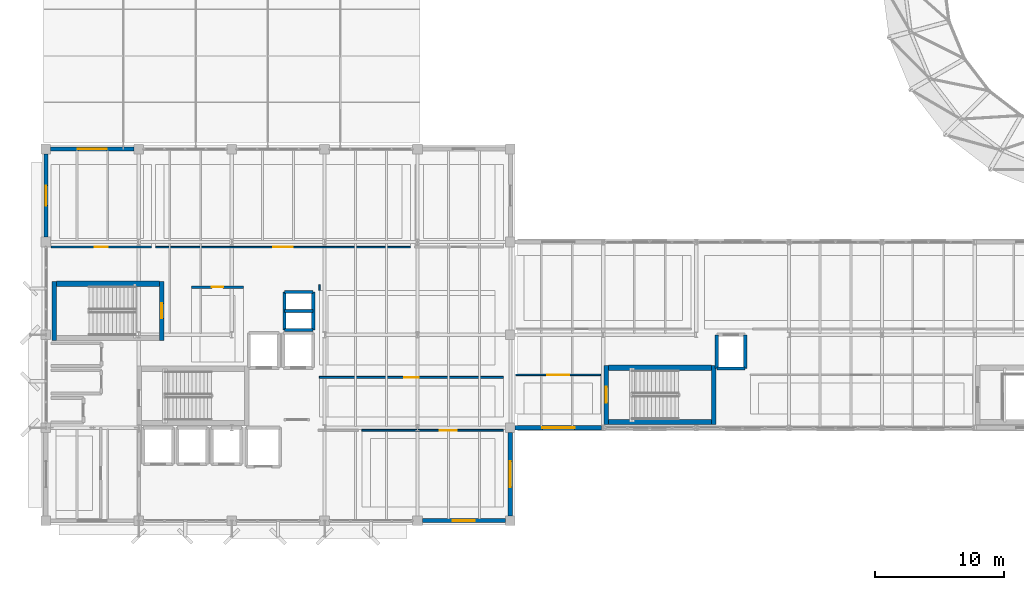
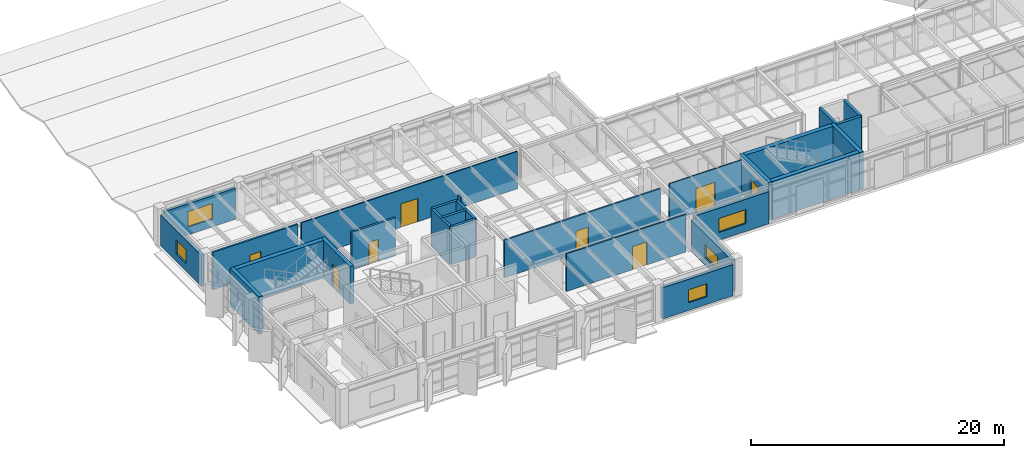
# One storey, part 32 of 48: 27 walls, 8 doors, 5 windows, 13 openings.
"""IFC4 building model written with IfcOpenShell, lengths in metres."""

from ifc_helpers import new_model, si_unit, direction, frame, frame_2d, origin, place, context, subcontext, project, spatial, rectangle, extrude, material, layer, layer_set, type_object, element, fill, save


model = new_model("IFC4")

# Units and contexts
model_context = context("Model", 3, precision=1e-05, world=origin(), true_north=direction((0.0, 1.0)))
body_context = subcontext(model_context, "Body", "Model", "MODEL_VIEW")
ifc_project = project(units=[si_unit("LENGTHUNIT", "METRE"), si_unit("AREAUNIT", "SQUARE_METRE"), si_unit("VOLUMEUNIT", "CUBIC_METRE"), si_unit("PLANEANGLEUNIT", "RADIAN"), si_unit("MASSUNIT", "GRAM", prefix="KILO")], contexts=[model_context])

# Site, building, storey
site_placement = place(None, origin())
site = spatial("IfcSite", under=ifc_project, at=site_placement, CompositionType="ELEMENT")
building_placement = place(site_placement, origin())
building = spatial("IfcBuilding", under=site, at=building_placement, Name="Kandorven Conservatory and Botanical Research Centre", CompositionType="ELEMENT")
storey_placement = place(building_placement, frame((0.0, 0.0, 13.199951171875)))
storey = spatial("IfcBuildingStorey", under=building, at=storey_placement, Name="L03", CompositionType="ELEMENT", Elevation=13.199951171875)

# Walls
ifc_material_1 = material(Name="Concrete C40/50 (M50)", Category="concrete")
ifc_layer_1 = layer(ifc_material_1, 0.39990234375)
ifc_layer_set_1 = layer_set([ifc_layer_1], Name="Concrete C40/50 (M50)")
wall_type_1 = type_object("IfcWallType", Name="Wall_CW-RC-1", PredefinedType="SHEAR", material=ifc_layer_set_1)
wall_1_placement = place(storey_placement, frame((14.800048828125, 24.35498046875, 0.0), z_axis=(0.0, 0.0, 1.0), x_axis=(-1.0, 0.0, 0.0)))
element("IfcWall", 1, at=wall_1_placement, inside=storey, type_object=wall_type_1, Name="Core stair shear wall CW-RC-1 ST-T2 L03 side A", PredefinedType="SHEAR", context=body_context, shape_type="SweptSolid", body=[
    extrude(rectangle(XDim=7.97998046875, YDim=0.39990234375, at=frame_2d((3.989990234375, 0.0))), origin(), (0.0, 0.0, 1.0), 3.635009765625),
])
for number, where, z_axis, x_axis, name in (
    (2, (49.60009765625, 13.64501953125, 0.0), (0.0, 0.0, 1.0), (1.0, 0.0, 0.0), "Core stair shear wall CW-RC-1 ST-V3A L03 side A"),
    (3, (49.60009765625, 17.844970703125, 0.0), (0.0, 0.0, 1.0), (1.0, 0.0, 0.0), "Core stair shear wall CW-RC-1 ST-V3A L03 side B"),
):
    element("IfcWall", number, at=place(storey_placement, frame(where, z_axis=z_axis, x_axis=x_axis)), inside=storey, type_object=wall_type_1, Name=name, PredefinedType="SHEAR", context=body_context, shape_type="SweptSolid", body=[
        extrude(rectangle(XDim=7.97998046875, YDim=0.39990234375, at=frame_2d((3.989990234375, 0.0))), origin(), (0.0, 0.0, 1.0), 3.625),
    ])

# Wall, opening, door
ifc_material_2 = material(Name="Concrete C40/50 (M50)", Category="concrete")
ifc_layer_2 = layer(ifc_material_2, 0.35009765625)
ifc_layer_set_2 = layer_set([ifc_layer_2], Name="Concrete C40/50 (M50)")
wall_type_2 = type_object("IfcWallType", Name="Wall_CW-RC-2", PredefinedType="SHEAR", material=ifc_layer_set_2)
wall_2_placement = place(storey_placement, frame((14.97509765625, 24.550048828125, 0.0), z_axis=(0.0, 0.0, 1.0), x_axis=(0.0, -1.0, 0.0)))
wall_2 = element("IfcWall", 4, at=wall_2_placement, inside=storey, type_object=wall_type_2, Name="Core stair shear wall CW-RC-2 ST-T2 L03 entry", PredefinedType="SHEAR", context=body_context, shape_type="SweptSolid", body=[
    extrude(rectangle(XDim=4.590087890625, YDim=0.35009765625, at=frame_2d((2.294921875, 0.0))), origin(), (0.0, 0.0, 1.0), 3.635009765625),
])
opening_1_placement = place(wall_2_placement, frame((1.719970703125, 0.0, 0.0)))
opening_1 = element("IfcOpeningElement", 5, at=opening_1_placement, cuts=wall_2, Name="Opening FD-2", PredefinedType="OPENING", context=body_context, shape_type="SweptSolid", body=[
    extrude(rectangle(XDim=1.14990234375, YDim=2.199951171875, at=frame_2d((0.574951171875, 1.10009765625))), frame((0.0, 0.18505859375, 0.0), z_axis=(0.0, -1.0, 0.0), x_axis=(1.0, 0.0, 0.0)), (0.0, 0.0, 1.0), 0.3701171875),
])
ifc_material_3 = material(Name="Galvanised hollow steel fire door assembly", Category="steel")
door_type_1 = type_object("IfcDoorType", Name="Door_FD-2", OperationType="NOTDEFINED", PredefinedType="DOOR", material=ifc_material_3)
door_1_placement = place(opening_1_placement, origin())
door_1 = element("IfcDoor", 6, at=door_1_placement, inside=storey, type_object=door_type_1, Name="Exit stair fire door FD-2 ST-T2 L03", OperationType="SINGLE_SWING_RIGHT", OverallHeight=2.199951171875, OverallWidth=1.14990234375, PredefinedType="DOOR", context=body_context, shape_type="SweptSolid", body=[
    extrude(rectangle(XDim=1.14990234375, YDim=2.199951171875, at=frame_2d((0.574951171875, 1.10009765625))), frame((0.0, 0.02490234375, 0.0), z_axis=(0.0, -1.0, 0.0), x_axis=(1.0, 0.0, 0.0)), (0.0, 0.0, 1.0), 0.050048828125),
])
fill(opening_1, door_1)

# Wall
wall_3_placement = place(storey_placement, frame((6.64501953125, 24.550048828125, 0.0), z_axis=(0.0, 0.0, 1.0), x_axis=(0.0, -1.0, 0.0)))
element("IfcWall", 7, at=wall_3_placement, inside=storey, type_object=wall_type_2, Name="Core stair shear wall CW-RC-2 ST-T2 L03 far", PredefinedType="SHEAR", context=body_context, shape_type="SweptSolid", body=[
    extrude(rectangle(XDim=4.590087890625, YDim=0.35009765625, at=frame_2d((2.294921875, 0.0))), origin(), (0.0, 0.0, 1.0), 3.635009765625),
])

# Wall, opening, door
wall_4_placement = place(storey_placement, frame((49.425048828125, 13.449951171875, 0.0), z_axis=(0.0, 0.0, 1.0), x_axis=(0.0, 1.0, 0.0)))
wall_4 = element("IfcWall", 8, at=wall_4_placement, inside=storey, type_object=wall_type_2, Name="Core stair shear wall CW-RC-2 ST-V3A L03 entry", PredefinedType="SHEAR", context=body_context, shape_type="SweptSolid", body=[
    extrude(rectangle(XDim=4.590087890625, YDim=0.35009765625, at=frame_2d((2.294921875, 0.0))), origin(), (0.0, 0.0, 1.0), 3.625),
])
opening_2_placement = place(wall_4_placement, frame((1.669921875, 0.0, 0.0)))
opening_2 = element("IfcOpeningElement", 9, at=opening_2_placement, cuts=wall_4, Name="Opening FD-1", PredefinedType="OPENING", context=body_context, shape_type="SweptSolid", body=[
    extrude(rectangle(XDim=1.25, YDim=2.199951171875, at=frame_2d((0.625, 1.10009765625))), frame((0.0, 0.18505859375, 0.0), z_axis=(0.0, -1.0, 0.0), x_axis=(1.0, 0.0, 0.0)), (0.0, 0.0, 1.0), 0.3701171875),
])
ifc_material_4 = material(Name="Galvanised hollow steel fire door assembly", Category="steel")
door_type_2 = type_object("IfcDoorType", Name="Door_FD-1", OperationType="NOTDEFINED", PredefinedType="DOOR", material=ifc_material_4)
door_2_placement = place(opening_2_placement, origin())
door_2 = element("IfcDoor", 10, at=door_2_placement, inside=storey, type_object=door_type_2, Name="Exit stair fire door FD-1 ST-V3A L03", OperationType="SINGLE_SWING_RIGHT", OverallHeight=2.199951171875, OverallWidth=1.25, PredefinedType="DOOR", context=body_context, shape_type="SweptSolid", body=[
    extrude(rectangle(XDim=1.25, YDim=2.199951171875, at=frame_2d((0.625, 1.10009765625))), frame((0.0, 0.02490234375, 0.0), z_axis=(0.0, -1.0, 0.0), x_axis=(1.0, 0.0, 0.0)), (0.0, 0.0, 1.0), 0.050048828125),
])
fill(opening_2, door_2)

# Walls
wall_5_placement = place(storey_placement, frame((57.7548828125, 13.449951171875, 0.0), z_axis=(0.0, 0.0, 1.0), x_axis=(0.0, 1.0, 0.0)))
element("IfcWall", 11, at=wall_5_placement, inside=storey, type_object=wall_type_2, Name="Core stair shear wall CW-RC-2 ST-V3A L03 far", PredefinedType="SHEAR", context=body_context, shape_type="SweptSolid", body=[
    extrude(rectangle(XDim=4.590087890625, YDim=0.35009765625, at=frame_2d((2.294921875, 0.0))), origin(), (0.0, 0.0, 1.0), 3.625),
])
wall_6_placement = place(storey_placement, frame((58.0, 17.800048828125, 0.0), z_axis=(0.0, 0.0, 1.0), x_axis=(1.0, 0.0, 0.0)))
element("IfcWall", 12, at=wall_6_placement, inside=storey, type_object=wall_type_2, Name="Lift shaft wall VL-1 L03 S", PredefinedType="SHEAR", context=body_context, shape_type="SweptSolid", body=[
    extrude(rectangle(XDim=2.199951171875, YDim=0.25, at=frame_2d((1.10009765625, 0.0))), origin(), (0.0, 0.0, 1.0), 3.635009765625),
])
for number, where, z_axis, x_axis, name in (
    (13, (58.0, 17.800048828125, 0.0), (0.0, 0.0, 1.0), (0.0, 1.0, 0.0), "Lift shaft wall VL-1 L03 W"),
    (14, (60.199951171875, 17.800048828125, 0.0), (0.0, 0.0, 1.0), (0.0, 1.0, 0.0), "Lift shaft wall VL-1 L03 E"),
):
    element("IfcWall", number, at=place(storey_placement, frame(where, z_axis=z_axis, x_axis=x_axis)), inside=storey, type_object=wall_type_2, Name=name, PredefinedType="SHEAR", context=body_context, shape_type="SweptSolid", body=[
        extrude(rectangle(XDim=2.599853515625, YDim=0.25, at=frame_2d((1.2998046875, 0.0))), origin(), (0.0, 0.0, 1.0), 3.635009765625),
    ])
for number, where, z_axis, x_axis, name in (
    (15, (24.47998046875, 20.780029296875, 0.0), (0.0, 0.0, 1.0), (1.0, 0.0, 0.0), "Core MEP riser shaft wall CW-RC-2 L03 S"),
    (16, (24.47998046875, 22.25, 0.0), (0.0, 0.0, 1.0), (1.0, 0.0, 0.0), "Core MEP riser shaft wall CW-RC-2 L03 M"),
    (17, (24.47998046875, 23.719970703125, 0.0), (0.0, 0.0, 1.0), (1.0, 0.0, 0.0), "Core MEP riser shaft wall CW-RC-2 L03 N"),
):
    element("IfcWall", number, at=place(storey_placement, frame(where, z_axis=z_axis, x_axis=x_axis)), inside=storey, type_object=wall_type_2, Name=name, PredefinedType="SHEAR", context=body_context, shape_type="SweptSolid", body=[
        extrude(rectangle(XDim=2.239990234375, YDim=0.239990234375, at=frame_2d((1.1201171875, 0.0))), origin(), (0.0, 0.0, 1.0), 3.635009765625),
    ])
for number, where, z_axis, x_axis, name in (
    (18, (24.47998046875, 20.780029296875, 0.0), (0.0, 0.0, 1.0), (0.0, 1.0, 0.0), "Core MEP riser shaft wall CW-RC-2 L03 W"),
    (19, (26.719970703125, 20.780029296875, 0.0), (0.0, 0.0, 1.0), (0.0, 1.0, 0.0), "Core MEP riser shaft wall CW-RC-2 L03 E"),
):
    element("IfcWall", number, at=place(storey_placement, frame(where, z_axis=z_axis, x_axis=x_axis)), inside=storey, type_object=wall_type_2, Name=name, PredefinedType="SHEAR", context=body_context, shape_type="SweptSolid", body=[
        extrude(rectangle(XDim=2.93994140625, YDim=0.239990234375, at=frame_2d((1.469970703125, 0.0))), origin(), (0.0, 0.0, 1.0), 3.635009765625),
    ])

# Wall, opening, window
ifc_material_5 = material(Name="Concrete C40/50 (M50)", Category="concrete")
ifc_layer_3 = layer(ifc_material_5, 0.360107421875)
ifc_layer_set_3 = layer_set([ifc_layer_3], Name="Concrete C40/50 (M50)")
wall_type_3 = type_object("IfcWallType", Name="Wall_EW-01", PredefinedType="STANDARD", material=ifc_layer_set_3)
wall_7_placement = place(storey_placement, frame((42.0, 6.375, 0.0), z_axis=(0.0, 0.0, 1.0), x_axis=(0.0, 1.0, 0.0)))
wall_7 = element("IfcWall", 20, at=wall_7_placement, inside=storey, type_object=wall_type_3, Name="Tower concrete facade wall EW-01 E L03", PredefinedType="STANDARD", context=body_context, shape_type="SweptSolid", body=[
    extrude(rectangle(XDim=6.449951171875, YDim=0.360107421875, at=frame_2d((3.22509765625, 0.0))), origin(), (0.0, 0.0, 1.0), 3.01513671875),
])
opening_3_placement = place(wall_7_placement, frame((2.22509765625, 0.0, 0.75)))
opening_3 = element("IfcOpeningElement", 21, at=opening_3_placement, cuts=wall_7, Name="Opening W-48", PredefinedType="OPENING", context=body_context, shape_type="SweptSolid", body=[
    extrude(rectangle(XDim=2.0, YDim=1.25, at=frame_2d((1.0, 0.625))), frame((0.0, 0.18994140625, 0.0), z_axis=(0.0, -1.0, 0.0), x_axis=(1.0, 0.0, 0.0)), (0.0, 0.0, 1.0), 0.380126953125),
])
ifc_material_6 = material(Name="Double-glazed solar-control low-E glass", Category="glass")
window_type_1 = type_object("IfcWindowType", Name="Win_W-48", PartitioningType="DOUBLE_PANEL_VERTICAL", PredefinedType="WINDOW", material=ifc_material_6)
window_1_placement = place(opening_3_placement, origin())
window_1 = element("IfcWindow", 22, at=window_1_placement, inside=storey, type_object=window_type_1, Name="Tower recessed solar window W-48", OverallHeight=1.25, OverallWidth=2.0, PartitioningType="SINGLE_PANEL", PredefinedType="WINDOW", context=body_context, shape_type="SweptSolid", body=[
    extrude(rectangle(XDim=2.0, YDim=1.25, at=frame_2d((1.0, 0.625))), frame((0.0, 0.030029296875, 0.0), z_axis=(0.0, -1.0, 0.0), x_axis=(1.0, 0.0, 0.0)), (0.0, 0.0, 1.0), 0.06005859375),
])
fill(opening_3, window_1)

ifc_material_7 = material(Name="Concrete C32/40 (M40)", Category="concrete")
ifc_layer_4 = layer(ifc_material_7, 0.340087890625)
ifc_layer_set_4 = layer_set([ifc_layer_4], Name="Concrete C32/40 (M40)")
wall_type_4 = type_object("IfcWallType", Name="Wall_EW-02", PredefinedType="STANDARD", material=ifc_layer_set_4)
wall_8_placement = place(storey_placement, frame((42.375, 13.199951171875, 0.0), z_axis=(0.0, 0.0, 1.0), x_axis=(1.0, 0.0, 0.0)))
wall_8 = element("IfcWall", 23, at=wall_8_placement, inside=storey, type_object=wall_type_4, Name="Visitor centre concrete wall EW-02 S L03", PredefinedType="STANDARD", context=body_context, shape_type="SweptSolid", body=[
    extrude(rectangle(XDim=6.699951171875, YDim=0.340087890625, at=frame_2d((3.35009765625, 0.0))), origin(), (0.0, 0.0, 1.0), 3.10009765625),
])
opening_4_placement = place(wall_8_placement, frame((2.10009765625, 0.0, 0.75)))
opening_4 = element("IfcOpeningElement", 24, at=opening_4_placement, cuts=wall_8, Name="Opening W-38", PredefinedType="OPENING", context=body_context, shape_type="SweptSolid", body=[
    extrude(rectangle(XDim=2.5, YDim=1.35009765625, at=frame_2d((1.25, 0.675048828125))), frame((0.0, 0.179931640625, 0.0), z_axis=(0.0, -1.0, 0.0), x_axis=(1.0, 0.0, 0.0)), (0.0, 0.0, 1.0), 0.360107421875),
])
ifc_material_8 = material(Name="Double-glazed solar-control low-E glass", Category="glass")
window_type_2 = type_object("IfcWindowType", Name="Win_W-38", PartitioningType="DOUBLE_PANEL_VERTICAL", PredefinedType="WINDOW", material=ifc_material_8)
window_2_placement = place(opening_4_placement, origin())
window_2 = element("IfcWindow", 25, at=window_2_placement, inside=storey, type_object=window_type_2, Name="Visitor wing deep-reveal window W-38", OverallHeight=1.35009765625, OverallWidth=2.5, PartitioningType="SINGLE_PANEL", PredefinedType="WINDOW", context=body_context, shape_type="SweptSolid", body=[
    extrude(rectangle(XDim=2.5, YDim=1.35009765625, at=frame_2d((1.25, 0.675048828125))), frame((0.0, 0.030029296875, 0.0), z_axis=(0.0, -1.0, 0.0), x_axis=(1.0, 0.0, 0.0)), (0.0, 0.0, 1.0), 0.06005859375),
])
fill(opening_4, window_2)

ifc_material_9 = material(Name="Concrete C32/40 (M40)", Category="concrete")
ifc_layer_5 = layer(ifc_material_9, 0.320068359375)
ifc_layer_set_5 = layer_set([ifc_layer_5], Name="Concrete C32/40 (M40)")
wall_type_5 = type_object("IfcWallType", Name="Wall_EW-03", PredefinedType="STANDARD", material=ifc_layer_set_5)
wall_9_placement = place(storey_placement, frame((35.175048828125, 6.0, 0.0), z_axis=(0.0, 0.0, 1.0), x_axis=(1.0, 0.0, 0.0)))
wall_9 = element("IfcWall", 26, at=wall_9_placement, inside=storey, type_object=wall_type_5, Name="Tower concrete facade wall EW-03 S L03", PredefinedType="STANDARD", context=body_context, shape_type="SweptSolid", body=[
    extrude(rectangle(XDim=6.449951171875, YDim=0.320068359375, at=frame_2d((3.22509765625, 0.0))), origin(), (0.0, 0.0, 1.0), 3.01513671875),
])
opening_5_placement = place(wall_9_placement, frame((2.375, 0.0, 0.75)))
opening_5 = element("IfcOpeningElement", 27, at=opening_5_placement, cuts=wall_9, Name="Opening W-47", PredefinedType="OPENING", context=body_context, shape_type="SweptSolid", body=[
    extrude(rectangle(XDim=1.699951171875, YDim=1.25, at=frame_2d((0.85009765625, 0.625))), frame((0.0, 0.169921875, 0.0), z_axis=(0.0, -1.0, 0.0), x_axis=(1.0, 0.0, 0.0)), (0.0, 0.0, 1.0), 0.340087890625),
])
ifc_material_10 = material(Name="Double-glazed solar-control low-E glass", Category="glass")
window_type_3 = type_object("IfcWindowType", Name="Win_W-47", PartitioningType="DOUBLE_PANEL_VERTICAL", PredefinedType="WINDOW", material=ifc_material_10)
window_3_placement = place(opening_5_placement, origin())
window_3 = element("IfcWindow", 28, at=window_3_placement, inside=storey, type_object=window_type_3, Name="Tower recessed solar window W-47", OverallHeight=1.25, OverallWidth=1.699951171875, PartitioningType="SINGLE_PANEL", PredefinedType="WINDOW", context=body_context, shape_type="SweptSolid", body=[
    extrude(rectangle(XDim=1.699951171875, YDim=1.25, at=frame_2d((0.85009765625, 0.625))), frame((0.0, 0.030029296875, 0.0), z_axis=(0.0, -1.0, 0.0), x_axis=(1.0, 0.0, 0.0)), (0.0, 0.0, 1.0), 0.06005859375),
])
fill(opening_5, window_3)

ifc_material_11 = material(Name="Concrete C32/40 (M40)", Category="concrete")
ifc_layer_6 = layer(ifc_material_11, 0.300048828125)
ifc_layer_set_6 = layer_set([ifc_layer_6], Name="Concrete C32/40 (M40)")
wall_type_6 = type_object("IfcWallType", Name="Wall_EW-04", PredefinedType="STANDARD", material=ifc_layer_set_6)
wall_10_placement = place(storey_placement, frame((6.0, 27.97509765625, 0.0), z_axis=(0.0, 0.0, 1.0), x_axis=(0.0, 1.0, 0.0)))
wall_10 = element("IfcWall", 29, at=wall_10_placement, inside=storey, type_object=wall_type_6, Name="Tower concrete facade wall EW-04 W L03", PredefinedType="STANDARD", context=body_context, shape_type="SweptSolid", body=[
    extrude(rectangle(XDim=6.449951171875, YDim=0.300048828125, at=frame_2d((3.22509765625, 0.0))), origin(), (0.0, 0.0, 1.0), 3.01513671875),
])
opening_6_placement = place(wall_10_placement, frame((2.449951171875, 0.0, 0.75)))
opening_6 = element("IfcOpeningElement", 30, at=opening_6_placement, cuts=wall_10, Name="Opening W-33", PredefinedType="OPENING", context=body_context, shape_type="SweptSolid", body=[
    extrude(rectangle(XDim=1.550048828125, YDim=1.35009765625, at=frame_2d((0.77490234375, 0.675048828125))), frame((0.0, 0.159912109375, 0.0), z_axis=(0.0, -1.0, 0.0), x_axis=(1.0, 0.0, 0.0)), (0.0, 0.0, 1.0), 0.320068359375),
])
ifc_material_12 = material(Name="Double-glazed solar-control low-E glass", Category="glass")
window_type_4 = type_object("IfcWindowType", Name="Win_W-33", PartitioningType="DOUBLE_PANEL_VERTICAL", PredefinedType="WINDOW", material=ifc_material_12)
window_4_placement = place(opening_6_placement, origin())
window_4 = element("IfcWindow", 31, at=window_4_placement, inside=storey, type_object=window_type_4, Name="Tower recessed solar window W-33", OverallHeight=1.35009765625, OverallWidth=1.550048828125, PartitioningType="SINGLE_PANEL", PredefinedType="WINDOW", context=body_context, shape_type="SweptSolid", body=[
    extrude(rectangle(XDim=1.550048828125, YDim=1.35009765625, at=frame_2d((0.77490234375, 0.675048828125))), frame((0.0, 0.030029296875, 0.0), z_axis=(0.0, -1.0, 0.0), x_axis=(1.0, 0.0, 0.0)), (0.0, 0.0, 1.0), 0.06005859375),
])
fill(opening_6, window_4)

ifc_material_13 = material(Name="Concrete C32/40 (M40)", Category="concrete")
ifc_layer_7 = layer(ifc_material_13, 0.280029296875)
ifc_layer_set_7 = layer_set([ifc_layer_7], Name="Concrete C32/40 (M40)")
wall_type_7 = type_object("IfcWallType", Name="Wall_EW-05", PredefinedType="STANDARD", material=ifc_layer_set_7)
wall_11_placement = place(storey_placement, frame((6.375, 34.800048828125, 0.0), z_axis=(0.0, 0.0, 1.0), x_axis=(1.0, 0.0, 0.0)))
wall_11 = element("IfcWall", 32, at=wall_11_placement, inside=storey, type_object=wall_type_7, Name="Tower concrete facade wall EW-05 N L03", PredefinedType="STANDARD", context=body_context, shape_type="SweptSolid", body=[
    extrude(rectangle(XDim=6.449951171875, YDim=0.280029296875, at=frame_2d((3.22509765625, 0.0))), origin(), (0.0, 0.0, 1.0), 3.01513671875),
])
opening_7_placement = place(wall_11_placement, frame((2.10009765625, 0.0, 0.75)))
opening_7 = element("IfcOpeningElement", 33, at=opening_7_placement, cuts=wall_11, Name="Opening W-43", PredefinedType="OPENING", context=body_context, shape_type="SweptSolid", body=[
    extrude(rectangle(XDim=2.25, YDim=1.5, at=frame_2d((1.125, 0.75))), frame((0.0, 0.14990234375, 0.0), z_axis=(0.0, -1.0, 0.0), x_axis=(1.0, 0.0, 0.0)), (0.0, 0.0, 1.0), 0.300048828125),
])
ifc_material_14 = material(Name="Double-glazed solar-control low-E glass", Category="glass")
window_type_5 = type_object("IfcWindowType", Name="Win_W-43", PartitioningType="DOUBLE_PANEL_VERTICAL", PredefinedType="WINDOW", material=ifc_material_14)
window_5_placement = place(opening_7_placement, origin())
window_5 = element("IfcWindow", 34, at=window_5_placement, inside=storey, type_object=window_type_5, Name="Tower recessed solar window W-43", OverallHeight=1.5, OverallWidth=2.25, PartitioningType="SINGLE_PANEL", PredefinedType="WINDOW", context=body_context, shape_type="SweptSolid", body=[
    extrude(rectangle(XDim=2.25, YDim=1.5, at=frame_2d((1.125, 0.75))), frame((0.0, 0.030029296875, 0.0), z_axis=(0.0, -1.0, 0.0), x_axis=(1.0, 0.0, 0.0)), (0.0, 0.0, 1.0), 0.06005859375),
])
fill(opening_7, window_5)

# Wall, opening, door
ifc_material_15 = material(Name="Autoclaved aerated concrete blockwork masonry", Category="masonry")
ifc_layer_8 = layer(ifc_material_15, 0.195068359375)
ifc_layer_set_8 = layer_set([ifc_layer_8], Name="Autoclaved aerated concrete blockwork masonry")
wall_type_8 = type_object("IfcWallType", Name="Wall_IW-02", PredefinedType="PARTITIONING", material=ifc_layer_set_8)
wall_12_placement = place(storey_placement, frame((17.300048828125, 24.10009765625, 0.0), z_axis=(0.0, 0.0, 1.0), x_axis=(1.0, 0.0, 0.0)))
wall_12 = element("IfcWall", 35, at=wall_12_placement, inside=storey, type_object=wall_type_8, Name="Interior partition wall IW-02 (Botanical Specimen Preparation Laboratory L03)", PredefinedType="PARTITIONING", context=body_context, shape_type="SweptSolid", body=[
    extrude(rectangle(XDim=4.0, YDim=0.195068359375, at=frame_2d((2.0, 0.0))), origin(), (0.0, 0.0, 1.0), 3.614990234375),
])
opening_8_placement = place(wall_12_placement, frame((1.56005859375, 0.0, 0.0)))
opening_8 = element("IfcOpeningElement", 36, at=opening_8_placement, cuts=wall_12, Name="Opening D-19", PredefinedType="OPENING", context=body_context, shape_type="SweptSolid", body=[
    extrude(rectangle(XDim=0.8798828125, YDim=2.1201171875, at=frame_2d((0.43994140625, 1.06005859375))), frame((0.0, 0.107421875, 0.0), z_axis=(0.0, -1.0, 0.0), x_axis=(1.0, 0.0, 0.0)), (0.0, 0.0, 1.0), 0.215087890625),
])
ifc_material_16 = material(Name="Solid core acoustic teak-veneered timber leaf", Category="wood")
door_type_3 = type_object("IfcDoorType", Name="Door_D-19", OperationType="NOTDEFINED", PredefinedType="DOOR", material=ifc_material_16)
door_3_placement = place(opening_8_placement, origin())
door_3 = element("IfcDoor", 37, at=door_3_placement, inside=storey, type_object=door_type_3, Name="Interior door D-19 to Botanical Specimen Preparation Laboratory L03", OperationType="SINGLE_SWING_LEFT", OverallHeight=2.1201171875, OverallWidth=0.8798828125, PredefinedType="DOOR", context=body_context, shape_type="SweptSolid", body=[
    extrude(rectangle(XDim=0.8798828125, YDim=2.1201171875, at=frame_2d((0.43994140625, 1.06005859375))), frame((0.0, 0.02490234375, 0.0), z_axis=(0.0, -1.0, 0.0), x_axis=(1.0, 0.0, 0.0)), (0.0, 0.0, 1.0), 0.050048828125),
])
fill(opening_8, door_3)

ifc_material_17 = material(Name="Autoclaved aerated concrete blockwork masonry", Category="masonry")
ifc_layer_9 = layer(ifc_material_17, 0.1650390625)
ifc_layer_set_9 = layer_set([ifc_layer_9], Name="Autoclaved aerated concrete blockwork masonry")
wall_type_9 = type_object("IfcWallType", Name="Wall_IW-04", PredefinedType="PARTITIONING", material=ifc_layer_set_9)
wall_13_placement = place(storey_placement, frame((6.39990234375, 27.199951171875, 0.0), z_axis=(0.0, 0.0, 1.0), x_axis=(1.0, 0.0, 0.0)))
wall_13 = element("IfcWall", 38, at=wall_13_placement, inside=storey, type_object=wall_type_9, Name="Interior partition wall IW-04 (Ethnobotany Field Specimen Studio L03)", PredefinedType="PARTITIONING", context=body_context, shape_type="SweptSolid", body=[
    extrude(rectangle(XDim=7.800048828125, YDim=0.1650390625, at=frame_2d((3.89990234375, 0.0))), origin(), (0.0, 0.0, 1.0), 3.614990234375),
])
opening_9_placement = place(wall_13_placement, frame((3.389892578125, 0.0, 0.0)))
opening_9 = element("IfcOpeningElement", 39, at=opening_9_placement, cuts=wall_13, Name="Opening D-21", PredefinedType="OPENING", context=body_context, shape_type="SweptSolid", body=[
    extrude(rectangle(XDim=1.02001953125, YDim=2.179931640625, at=frame_2d((0.510009765625, 1.08984375))), frame((0.0, 0.092529296875, 0.0), z_axis=(0.0, -1.0, 0.0), x_axis=(1.0, 0.0, 0.0)), (0.0, 0.0, 1.0), 0.18505859375),
])
ifc_material_18 = material(Name="Solid core acoustic teak-veneered timber leaf", Category="wood")
door_type_4 = type_object("IfcDoorType", Name="Door_D-21", OperationType="NOTDEFINED", PredefinedType="DOOR", material=ifc_material_18)
door_4_placement = place(opening_9_placement, origin())
door_4 = element("IfcDoor", 40, at=door_4_placement, inside=storey, type_object=door_type_4, Name="Interior door D-21 to Ethnobotany Field Specimen Studio L03", OperationType="SINGLE_SWING_LEFT", OverallHeight=2.179931640625, OverallWidth=1.02001953125, PredefinedType="DOOR", context=body_context, shape_type="SweptSolid", body=[
    extrude(rectangle(XDim=1.02001953125, YDim=2.179931640625, at=frame_2d((0.510009765625, 1.08984375))), frame((0.0, 0.02490234375, 0.0), z_axis=(0.0, -1.0, 0.0), x_axis=(1.0, 0.0, 0.0)), (0.0, 0.0, 1.0), 0.050048828125),
])
fill(opening_9, door_4)

ifc_material_19 = material(Name="Fire-rated acoustic gypsum board partition", Category="gypsum")
ifc_layer_10 = layer(ifc_material_19, 0.14990234375)
ifc_layer_set_10 = layer_set([ifc_layer_10], Name="Fire-rated acoustic gypsum board partition")
wall_type_10 = type_object("IfcWallType", Name="Wall_IW-05", PredefinedType="PARTITIONING", material=ifc_layer_set_10)
wall_14_placement = place(storey_placement, frame((27.199951171875, 17.10009765625, 0.0), z_axis=(0.0, 0.0, 1.0), x_axis=(1.0, 0.0, 0.0)))
wall_14 = element("IfcWall", 41, at=wall_14_placement, inside=storey, type_object=wall_type_10, Name="Interior partition wall IW-05 (Plant Pathology Research Laboratory L03)", PredefinedType="PARTITIONING", context=body_context, shape_type="SweptSolid", body=[
    extrude(rectangle(XDim=14.25, YDim=0.14990234375, at=frame_2d((7.125, 0.0))), origin(), (0.0, 0.0, 1.0), 3.614990234375),
])
opening_10_placement = place(wall_14_placement, frame((6.56494140625, 0.0, 0.0)))
opening_10 = element("IfcOpeningElement", 42, at=opening_10_placement, cuts=wall_14, Name="Opening D-22", PredefinedType="OPENING", context=body_context, shape_type="SweptSolid", body=[
    extrude(rectangle(XDim=1.1201171875, YDim=2.219970703125, at=frame_2d((0.56005859375, 1.10986328125))), frame((0.0, 0.0849609375, 0.0), z_axis=(0.0, -1.0, 0.0), x_axis=(1.0, 0.0, 0.0)), (0.0, 0.0, 1.0), 0.169921875),
])
ifc_material_20 = material(Name="Solid core acoustic teak-veneered timber leaf", Category="wood")
door_type_5 = type_object("IfcDoorType", Name="Door_D-22", OperationType="NOTDEFINED", PredefinedType="DOOR", material=ifc_material_20)
door_5_placement = place(opening_10_placement, origin())
door_5 = element("IfcDoor", 43, at=door_5_placement, inside=storey, type_object=door_type_5, Name="Interior door D-22 to Plant Pathology Research Laboratory L03", OperationType="SINGLE_SWING_RIGHT", OverallHeight=2.219970703125, OverallWidth=1.1201171875, PredefinedType="DOOR", context=body_context, shape_type="SweptSolid", body=[
    extrude(rectangle(XDim=1.1201171875, YDim=2.219970703125, at=frame_2d((0.56005859375, 1.10986328125))), frame((0.0, 0.02490234375, 0.0), z_axis=(0.0, -1.0, 0.0), x_axis=(1.0, 0.0, 0.0)), (0.0, 0.0, 1.0), 0.050048828125),
])
fill(opening_10, door_5)

ifc_material_21 = material(Name="Fire-rated acoustic gypsum board partition", Category="gypsum")
ifc_layer_11 = layer(ifc_material_21, 0.1298828125)
ifc_layer_set_11 = layer_set([ifc_layer_11], Name="Fire-rated acoustic gypsum board partition")
wall_type_11 = type_object("IfcWallType", Name="Wall_IW-07", PredefinedType="PARTITIONING", material=ifc_layer_set_11)
wall_15_placement = place(storey_placement, frame((30.5, 13.0, 0.0), z_axis=(0.0, 0.0, 1.0), x_axis=(1.0, 0.0, 0.0)))
wall_15 = element("IfcWall", 44, at=wall_15_placement, inside=storey, type_object=wall_type_11, Name="Interior partition wall IW-07 (Soil Ecology Research Laboratory L03)", PredefinedType="PARTITIONING", context=body_context, shape_type="SweptSolid", body=[
    extrude(rectangle(XDim=10.949951171875, YDim=0.1298828125, at=frame_2d((5.47509765625, 0.0))), origin(), (0.0, 0.0, 1.0), 3.614990234375),
])
opening_11_placement = place(wall_15_placement, frame((6.021484375, 0.0, 0.0)))
opening_11 = element("IfcOpeningElement", 45, at=opening_11_placement, cuts=wall_15, Name="Opening D-24", PredefinedType="OPENING", context=body_context, shape_type="SweptSolid", body=[
    extrude(rectangle(XDim=1.340087890625, YDim=2.219970703125, at=frame_2d((0.669921875, 1.10986328125))), frame((0.0, 0.074951171875, 0.0), z_axis=(0.0, -1.0, 0.0), x_axis=(1.0, 0.0, 0.0)), (0.0, 0.0, 1.0), 0.14990234375),
])
ifc_material_22 = material(Name="Solid core acoustic teak-veneered timber leaf", Category="wood")
door_type_6 = type_object("IfcDoorType", Name="Door_D-24", OperationType="NOTDEFINED", PredefinedType="DOOR", material=ifc_material_22)
door_6_placement = place(opening_11_placement, origin())
door_6 = element("IfcDoor", 46, at=door_6_placement, inside=storey, type_object=door_type_6, Name="Interior door D-24 to Soil Ecology Research Laboratory L03", OperationType="SINGLE_SWING_RIGHT", OverallHeight=2.219970703125, OverallWidth=1.340087890625, PredefinedType="DOOR", context=body_context, shape_type="SweptSolid", body=[
    extrude(rectangle(XDim=1.340087890625, YDim=2.219970703125, at=frame_2d((0.669921875, 1.10986328125))), frame((0.0, 0.02490234375, 0.0), z_axis=(0.0, -1.0, 0.0), x_axis=(1.0, 0.0, 0.0)), (0.0, 0.0, 1.0), 0.050048828125),
])
fill(opening_11, door_6)

# Wall
ifc_material_23 = material(Name="Fire-rated acoustic gypsum board partition", Category="gypsum")
ifc_layer_12 = layer(ifc_material_23, 0.1201171875)
ifc_layer_set_12 = layer_set([ifc_layer_12], Name="Fire-rated acoustic gypsum board partition")
wall_type_12 = type_object("IfcWallType", Name="Wall_IW-08", PredefinedType="PARTITIONING", material=ifc_layer_set_12)
wall_16_placement = place(storey_placement, frame((27.199951171875, 24.300048828125, 0.0), z_axis=(0.0, 0.0, 1.0), x_axis=(0.0, -1.0, 0.0)))
element("IfcWall", 47, at=wall_16_placement, inside=storey, type_object=wall_type_12, Name="Interior partition wall IW-08 (Tissue Culture Clean Research Laboratory L03)", PredefinedType="PARTITIONING", context=body_context, shape_type="SweptSolid", body=[
    extrude(rectangle(XDim=0.449951171875, YDim=0.1201171875, at=frame_2d((0.22509765625, 0.0))), origin(), (0.0, 0.0, 1.0), 3.614990234375),
])

# Wall, opening, door
ifc_material_24 = material(Name="Fire-rated acoustic gypsum board partition", Category="gypsum")
ifc_layer_13 = layer(ifc_material_24, 0.110107421875)
ifc_layer_set_13 = layer_set([ifc_layer_13], Name="Fire-rated acoustic gypsum board partition")
wall_type_13 = type_object("IfcWallType", Name="Wall_IW-09", PredefinedType="PARTITIONING", material=ifc_layer_set_13)
wall_17_placement = place(storey_placement, frame((14.5, 27.199951171875, 0.0), z_axis=(0.0, 0.0, 1.0), x_axis=(1.0, 0.0, 0.0)))
wall_17 = element("IfcWall", 48, at=wall_17_placement, inside=storey, type_object=wall_type_13, Name="Interior partition wall IW-09 (Botanical Research Seminar Room L03)", PredefinedType="PARTITIONING", context=body_context, shape_type="SweptSolid", body=[
    extrude(rectangle(XDim=19.75, YDim=0.110107421875, at=frame_2d((9.875, 0.0))), origin(), (0.0, 0.0, 1.0), 3.614990234375),
])
opening_12_placement = place(wall_17_placement, frame((9.114990234375, 0.0, 0.0)))
opening_12 = element("IfcOpeningElement", 49, at=opening_12_placement, cuts=wall_17, Name="Opening D-26", PredefinedType="OPENING", context=body_context, shape_type="SweptSolid", body=[
    extrude(rectangle(XDim=1.52001953125, YDim=2.260009765625, at=frame_2d((0.760009765625, 1.1298828125))), frame((0.0, 0.06494140625, 0.0), z_axis=(0.0, -1.0, 0.0), x_axis=(1.0, 0.0, 0.0)), (0.0, 0.0, 1.0), 0.130126953125),
])
ifc_material_25 = material(Name="Solid core acoustic teak-veneered timber leaf", Category="wood")
door_type_7 = type_object("IfcDoorType", Name="Door_D-26", OperationType="NOTDEFINED", PredefinedType="DOOR", material=ifc_material_25)
door_7_placement = place(opening_12_placement, frame((1.52001953125, 0.0, 0.0), z_axis=(0.0, 0.0, 1.0), x_axis=(-1.0, 0.0, 0.0)))
door_7 = element("IfcDoor", 50, at=door_7_placement, inside=storey, type_object=door_type_7, Name="Interior door D-26 to Botanical Research Seminar Room L03", OperationType="SINGLE_SWING_RIGHT", OverallHeight=2.260009765625, OverallWidth=1.52001953125, PredefinedType="DOOR", context=body_context, shape_type="SweptSolid", body=[
    extrude(rectangle(XDim=1.52001953125, YDim=2.260009765625, at=frame_2d((0.760009765625, 1.1298828125))), frame((0.0, 0.02490234375, 0.0), z_axis=(0.0, -1.0, 0.0), x_axis=(1.0, 0.0, 0.0)), (0.0, 0.0, 1.0), 0.050048828125),
])
fill(opening_12, door_7)

ifc_material_26 = material(Name="Fire-rated acoustic gypsum board partition", Category="gypsum")
ifc_layer_14 = layer(ifc_material_26, 0.10595703125)
ifc_layer_set_14 = layer_set([ifc_layer_14], Name="Fire-rated acoustic gypsum board partition")
wall_type_14 = type_object("IfcWallType", Name="Wall_IW-11", PredefinedType="PARTITIONING", material=ifc_layer_set_14)
wall_18_placement = place(storey_placement, frame((42.39990234375, 17.300048828125, 0.0), z_axis=(0.0, 0.0, 1.0), x_axis=(1.0, 0.0, 0.0)))
wall_18 = element("IfcWall", 51, at=wall_18_placement, inside=storey, type_object=wall_type_14, Name="Interior partition wall IW-11 (Rare Flora Monograph Reading Room)", PredefinedType="PARTITIONING", context=body_context, shape_type="SweptSolid", body=[
    extrude(rectangle(XDim=6.60009765625, YDim=0.10595703125, at=frame_2d((3.300048828125, 0.0))), origin(), (0.0, 0.0, 1.0), 3.614990234375),
])
opening_13_placement = place(wall_18_placement, frame((2.43994140625, 0.0, 0.0)))
opening_13 = element("IfcOpeningElement", 52, at=opening_13_placement, cuts=wall_18, Name="Opening D-28", PredefinedType="OPENING", context=body_context, shape_type="SweptSolid", body=[
    extrude(rectangle(XDim=1.719970703125, YDim=2.320068359375, at=frame_2d((0.85986328125, 1.16015625))), frame((0.0, 0.06298828125, 0.0), z_axis=(0.0, -1.0, 0.0), x_axis=(1.0, 0.0, 0.0)), (0.0, 0.0, 1.0), 0.1259765625),
])
ifc_material_27 = material(Name="Solid core acoustic teak-veneered timber leaf", Category="wood")
door_type_8 = type_object("IfcDoorType", Name="Door_D-28", OperationType="NOTDEFINED", PredefinedType="DOOR", material=ifc_material_27)
door_8_placement = place(opening_13_placement, origin())
door_8 = element("IfcDoor", 53, at=door_8_placement, inside=storey, type_object=door_type_8, Name="Interior door D-28 to Rare Flora Monograph Reading Room", OperationType="DOUBLE_DOOR_SINGLE_SWING", OverallHeight=2.320068359375, OverallWidth=1.719970703125, PredefinedType="DOOR", context=body_context, shape_type="SweptSolid", body=[
    extrude(rectangle(XDim=1.719970703125, YDim=2.320068359375, at=frame_2d((0.85986328125, 1.16015625))), frame((0.0, 0.02490234375, 0.0), z_axis=(0.0, -1.0, 0.0), x_axis=(1.0, 0.0, 0.0)), (0.0, 0.0, 1.0), 0.050048828125),
])
fill(opening_13, door_8)

save(model, "model.ifc")
